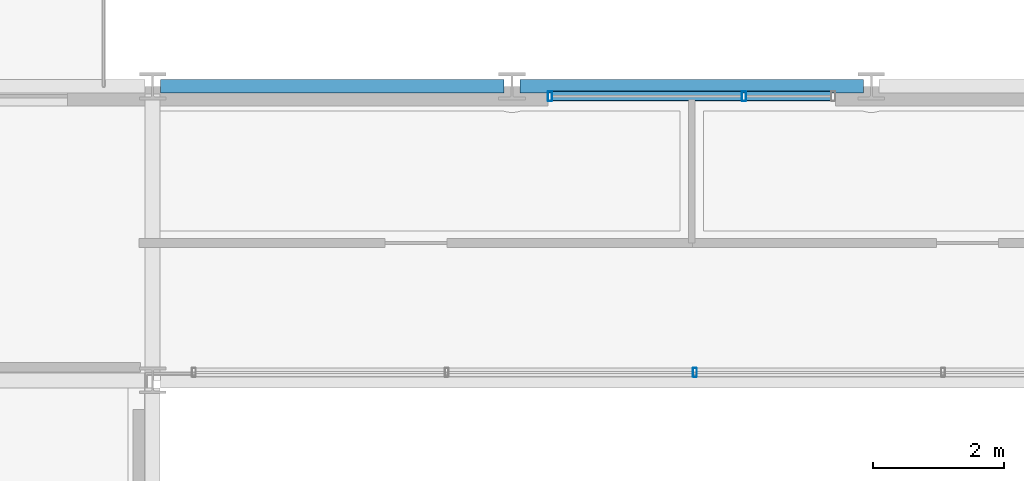
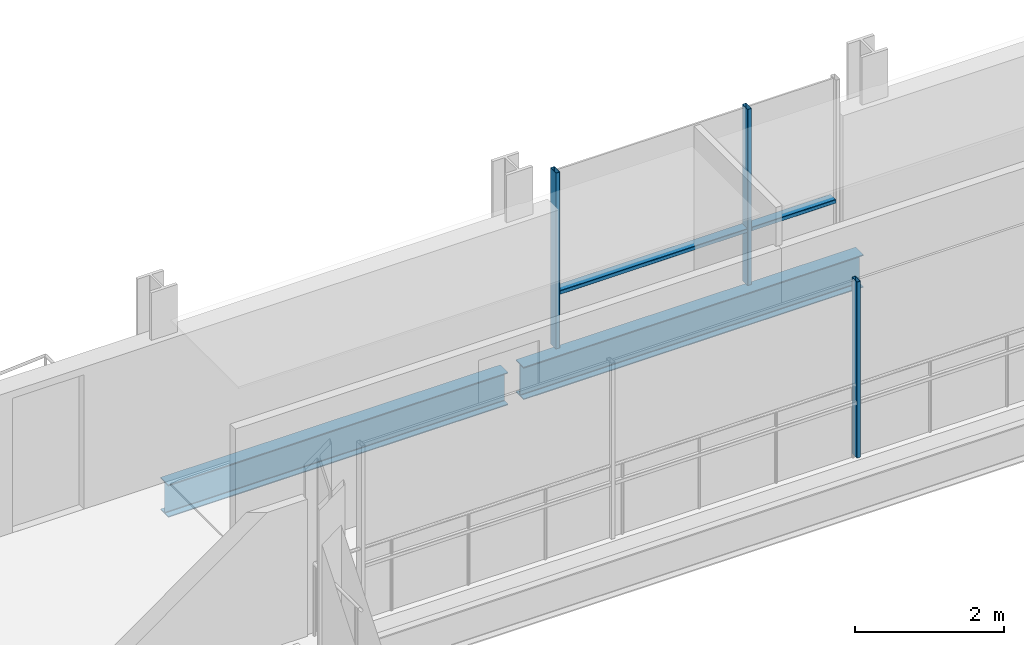
# One storey, part 13 of 38: 5 members, 2 beams, 2 elements without a shape of their own.
"""IFC4 building model written with IfcOpenShell, lengths in metres."""

import ifcopenshell
import ifcopenshell.guid

model = None  # the IFC model being written
_history = None  # IfcOwnerHistory: only IFC2X3 demands one
_inside = {}  # id of a spatial element -> (the spatial element, [elements in it])
_under = {}  # id of a project, library or spatial element -> (it, [spatial elements below it])
_declared = {}  # id of a project -> (the project, [libraries it declares])
_typed = {}  # id of a type object -> (the type object, [elements of that type])
_made_of = {}  # id of a material, layer set ... -> (it, [elements and type objects made of it])


def new_model(schema):
    """Start an empty IFC model of exactly this schema.

    Asked for "IFC4X3", IfcOpenShell would pick the latest addendum, in which some entities
    have other attributes; the version numbers below select the first issue.
    IFC2X3 requires an IfcOwnerHistory on every rooted entity: one is made here for all.
    """
    global model, _history
    if schema == "IFC4X3":
        model = ifcopenshell.file(schema_version=(4, 3, 0, 0))
    else:
        model = ifcopenshell.file(schema=schema)
    _inside.clear()
    _under.clear()
    _declared.clear()
    _typed.clear()
    _made_of.clear()
    _history = None
    if model.schema == "IFC2X3":
        org = make("IfcOrganization", Name="unknown")
        user = make(
            "IfcPersonAndOrganization",
            ThePerson=make("IfcPerson", FamilyName="unknown"),
            TheOrganization=org,
        )
        app = make(
            "IfcApplication",
            ApplicationDeveloper=org,
            Version="unknown",
            ApplicationFullName="unknown",
            ApplicationIdentifier="unknown",
        )
        _history = make(
            "IfcOwnerHistory",
            OwningUser=user,
            OwningApplication=app,
            ChangeAction="ADDED",
            CreationDate=0,
        )
    return model


def make(cls, **values):
    """One entity of the class cls with the attributes given. An attribute that is None is left unset."""
    return model.create_entity(
        cls, **{name: value for name, value in values.items() if value is not None}
    )


def rooted(cls, **values):
    """An entity with a GlobalId (a new one), such as an element, a storey or a relation."""
    return make(cls, GlobalId=ifcopenshell.guid.new(), OwnerHistory=_history, **values)


def si_unit(unit_type, name, prefix=None):
    """IfcSIUnit, for example si_unit("LENGTHUNIT", "METRE", prefix="MILLI")."""
    return make("IfcSIUnit", UnitType=unit_type, Prefix=prefix, Name=name)


def assignment(units):
    """IfcUnitAssignment: the units of a project."""
    return None if units is None else make("IfcUnitAssignment", Units=units)


def point(xyz):
    """IfcCartesianPoint."""
    return None if xyz is None else make("IfcCartesianPoint", Coordinates=xyz)


def direction(xyz):
    """IfcDirection."""
    return None if xyz is None else make("IfcDirection", DirectionRatios=xyz)


def frame(location, z_axis=None, x_axis=None):
    """IfcAxis2Placement3D, a coordinate frame: its origin and axes. An axis left out is left unset."""
    return make(
        "IfcAxis2Placement3D",
        Location=point(location),
        Axis=direction(z_axis),
        RefDirection=direction(x_axis),
    )


def frame_2d(location, x_axis=None):
    """IfcAxis2Placement2D, a coordinate frame in the plane: its origin and x axis."""
    return make(
        "IfcAxis2Placement2D", Location=point(location), RefDirection=direction(x_axis)
    )


def origin():
    """The frame at (0, 0, 0) with its axes left unset."""
    return frame((0.0, 0.0, 0.0))


def origin_2d():
    """The frame at (0, 0) in the plane with its x axis left unset."""
    return frame_2d((0.0, 0.0))


def place(relative_to, where):
    """IfcLocalPlacement: puts the frame where relative to a parent placement (None: the world)."""
    return make(
        "IfcLocalPlacement", PlacementRelTo=relative_to, RelativePlacement=where
    )


def context(
    kind, dimensions, precision=None, world=None, true_north=None, identifier=None
):
    """IfcGeometricRepresentationContext, for example the 3D "Model" context."""
    return make(
        "IfcGeometricRepresentationContext",
        ContextIdentifier=identifier,
        ContextType=kind,
        CoordinateSpaceDimension=dimensions,
        Precision=precision,
        WorldCoordinateSystem=world,
        TrueNorth=true_north,
    )


def subcontext(parent, identifier, kind, view, scale=None):
    """IfcGeometricRepresentationSubContext, for example "Body" below "Model"."""
    return make(
        "IfcGeometricRepresentationSubContext",
        ContextIdentifier=identifier,
        ContextType=kind,
        ParentContext=parent,
        TargetScale=scale,
        TargetView=view,
    )


def project(units=None, contexts=None):
    """IfcProject with its units and contexts."""
    return rooted(
        "IfcProject",
        Name="project",
        RepresentationContexts=contexts,
        UnitsInContext=assignment(units),
    )


def spatial(cls, under=None, at=None, **own):
    """A site, building, storey or space (cls), placed at a placement, below another one or the project."""
    s = rooted(cls, ObjectPlacement=at, **own)
    if under is not None:
        _under.setdefault(under.id(), (under, []))[1].append(s)
    return s


def profile(cls, at=None, kind="AREA", **sizes):
    """A parametric profile (cls). Its sizes go by their IFC names, for example OverallWidth=200.0."""
    return make(cls, ProfileType=kind, Position=at, **sizes)


def hollow_rectangle(**sizes):
    """IfcRectangleHollowProfileDef."""
    return profile("IfcRectangleHollowProfileDef", **sizes)


def i_section(**sizes):
    """IfcIShapeProfileDef."""
    return profile("IfcIShapeProfileDef", **sizes)


def extrude(swept, where, along, depth):
    """IfcExtrudedAreaSolid: the profile swept, set in the frame where, extruded along a direction by depth."""
    return make(
        "IfcExtrudedAreaSolid",
        SweptArea=swept,
        Position=where,
        ExtrudedDirection=direction(along),
        Depth=depth,
    )


def shape(context_of_items, identifier, shape_type, items):
    """IfcShapeRepresentation: the items that make up one representation, for example the "Body"."""
    return make(
        "IfcShapeRepresentation",
        ContextOfItems=context_of_items,
        RepresentationIdentifier=identifier,
        RepresentationType=shape_type,
        Items=items,
    )


def material(Name=None, Category=None):
    """IfcMaterial."""
    return make("IfcMaterial", Name=Name, Category=Category)


def layer(
    of_material, thickness, ventilated=None, Name=None, Category=None, Priority=None
):
    """IfcMaterialLayer: one layer of a wall or slab, of a material (None: an air gap)."""
    return make(
        "IfcMaterialLayer",
        Material=of_material,
        LayerThickness=thickness,
        IsVentilated=ventilated,
        Name=Name,
        Category=Category,
        Priority=Priority,
    )


def layer_set(layers, Name=None):
    """IfcMaterialLayerSet."""
    return make("IfcMaterialLayerSet", MaterialLayers=layers, LayerSetName=Name)


def material_profile(
    of_material, cross_section, Name=None, Category=None, Priority=None
):
    """IfcMaterialProfile: a cross section and its material."""
    return make(
        "IfcMaterialProfile",
        Name=Name,
        Material=of_material,
        Profile=cross_section,
        Priority=Priority,
        Category=Category,
    )


def profile_set(profiles, Name=None, composite=None):
    """IfcMaterialProfileSet."""
    return make(
        "IfcMaterialProfileSet",
        Name=Name,
        MaterialProfiles=profiles,
        CompositeProfile=composite,
    )


def made_of(thing, what):
    """Note that an element or type object is made of a material, layer set ...; save() writes the relation."""
    if what is not None:
        _made_of.setdefault(what.id(), (what, []))[1].append(thing)
    return thing


def type_object(cls, material=None, **own):
    """A type object (cls), such as IfcWallType, which elements share."""
    return made_of(rooted(cls, **own), material)


def element(
    cls,
    number,
    at=None,
    inside=None,
    cuts=None,
    type_object=None,
    material=None,
    context=None,
    identifier="Body",
    shape_type=None,
    held_by="IfcProductDefinitionShape",
    body=None,
    shapes=None,
    **own,
):
    """One element of the class cls, such as IfcWall. Its Tag is "e" and its number.

    at: its placement. inside: the storey or other place that contains it. cuts: it is an
    opening in that element (IfcRelVoidsElement). A single representation is given by context,
    identifier, shape_type and body (its items); several are given by shapes. held_by: the class
    of the entity that holds the representations. save() writes the other relations.
    """
    e = rooted(cls, Tag="e%d" % number, ObjectPlacement=at, **own)
    if body is not None:
        shapes = [shape(context, identifier, shape_type, body)]
    if shapes is not None:
        e.Representation = make(held_by, Representations=shapes)
    if inside is not None:
        _inside.setdefault(inside.id(), (inside, []))[1].append(e)
    if cuts is not None:
        rooted(
            "IfcRelVoidsElement", RelatingBuildingElement=cuts, RelatedOpeningElement=e
        )
    if type_object is not None:
        _typed.setdefault(type_object.id(), (type_object, []))[1].append(e)
    return made_of(e, material)


def aggregate(whole, parts):
    """IfcRelAggregates: a whole, such as a stair, and the parts it consists of."""
    return rooted("IfcRelAggregates", RelatingObject=whole, RelatedObjects=parts)


def save(model, path):
    """Write the relations noted so far, then the file.

    IfcRelAggregates (storeys below a building ...), IfcRelContainedInSpatialStructure (elements
    in a storey), IfcRelDefinesByType, IfcRelAssociatesMaterial and IfcRelDeclares: one each for
    every whole, place, type object, material and project.
    """
    for whole, parts in _under.values():
        aggregate(whole, parts)
    for where, things in _inside.values():
        rooted(
            "IfcRelContainedInSpatialStructure",
            RelatedElements=things,
            RelatingStructure=where,
        )
    for kind, things in _typed.values():
        rooted("IfcRelDefinesByType", RelatedObjects=things, RelatingType=kind)
    for what, things in _made_of.values():
        rooted("IfcRelAssociatesMaterial", RelatedObjects=things, RelatingMaterial=what)
    for by, libraries in _declared.values():
        rooted("IfcRelDeclares", RelatingContext=by, RelatedDefinitions=libraries)
    model.write(path)


model = new_model("IFC4")

# Units and contexts
model_context = context("Model", 3, precision=1e-05, world=origin(), true_north=direction((0.0, 1.0)))
body_context = subcontext(model_context, "Body", "Model", "MODEL_VIEW")
ifc_project = project(units=[si_unit("LENGTHUNIT", "METRE"), si_unit("AREAUNIT", "SQUARE_METRE"), si_unit("VOLUMEUNIT", "CUBIC_METRE"), si_unit("PLANEANGLEUNIT", "RADIAN"), si_unit("MASSUNIT", "GRAM", prefix="KILO")], contexts=[model_context])

# Site, building, storey
site_placement = place(None, origin())
site = spatial("IfcSite", under=ifc_project, at=site_placement, CompositionType="ELEMENT")
building_placement = place(site_placement, origin())
building = spatial("IfcBuilding", under=site, at=building_placement, Name="Brevholm Reach", CompositionType="ELEMENT")
storey_placement = place(building_placement, frame((0.0, 0.0, 166.60009765625)))
storey = spatial("IfcBuildingStorey", under=building, at=storey_placement, Name="L50", CompositionType="ELEMENT", Elevation=166.60009765625)

# Beams
ifc_material_1 = material(Name="Structural Steel S355J2", Category="steel")
ifc_material_profile_1 = material_profile(ifc_material_1, i_section(OverallWidth=0.209228515625, OverallDepth=0.533203125, WebThickness=0.010009765625, FlangeThickness=0.015625, FilletRadius=0.0126953125, at=origin_2d()), Name="UKB 533x210x92")
ifc_profile_set_1 = profile_set([ifc_material_profile_1], Name="Structural Steel S355J2")
beam_type = type_object("IfcBeamType", Name="BM-SP533", PredefinedType="SPANDREL", material=ifc_profile_set_1)
for number, where, z_axis, x_axis, name in (
    (1, (21.8701171875, 31.0, -0.486572265625), (1.0, 0.0, 0.0), (0.0, 1.0, 0.0), "L50 SP-02 Framing Beam"),
    (2, (27.3701171875, 31.0, -0.486572265625), (1.0, 0.0, 0.0), (0.0, 1.0, 0.0), "L50 SP-02 Framing Beam"),
):
    element("IfcBeam", number, at=place(storey_placement, frame(where, z_axis=z_axis, x_axis=x_axis)), inside=storey, type_object=beam_type, Name=name, PredefinedType="SPANDREL", context=body_context, shape_type="SweptSolid", body=[
        extrude(i_section(OverallWidth=0.209228515625, OverallDepth=0.533203125, WebThickness=0.010009765625, FlangeThickness=0.015625, FilletRadius=0.0126953125, at=origin_2d()), origin(), (0.0, 0.0, 1.0), 5.259765625),
    ])

# Curtain wall, member
ifc_material_2 = material(Name="Dark Anodised Aluminium 6063-T6 and Solar-Control Glass", Category="aluminium")
ifc_layer_1 = layer(ifc_material_2, 0.139892578125)
ifc_layer_set_1 = layer_set([ifc_layer_1], Name="Dark Anodised Aluminium 6063-T6 and Solar-Control Glass")
curtain_wall_type_1 = type_object("IfcCurtainWallType", Name="CW-02", PredefinedType="NOTDEFINED", material=ifc_layer_set_1)
curtain_wall_1_placement = place(storey_placement, origin())
curtain_wall_1 = element("IfcCurtainWall", 3, at=curtain_wall_1_placement, inside=storey, type_object=curtain_wall_type_1, Name="L50 Curtain Wall CW-02", PredefinedType="NOTDEFINED")
ifc_material_3 = material(Name="Dark Anodised Aluminium 6063-T6", Category="aluminium")
ifc_material_profile_2 = material_profile(ifc_material_3, hollow_rectangle(XDim=0.06005859375, YDim=0.139892578125, WallThickness=0.0048828125, InnerFilletRadius=0.0048828125, OuterFilletRadius=0.010009765625, at=origin_2d()), Name="RHS 140x60x5")
ifc_profile_set_2 = profile_set([ifc_material_profile_2], Name="Dark Anodised Aluminium 6063-T6")
member_type_1 = type_object("IfcMemberType", Name="CWM-140", PredefinedType="MULLION", material=ifc_profile_set_2)
member_1_placement = place(storey_placement, frame((30.050048828125, 26.6201171875, 0.0), z_axis=(0.0, 0.0, 1.0), x_axis=(-1.0, 0.0, 0.0)))
member_1 = element("IfcMember", 4, at=member_1_placement, type_object=member_type_1, Name="CM-140 Mullion 3", PredefinedType="MULLION", context=body_context, shape_type="SweptSolid", body=[
    extrude(hollow_rectangle(XDim=0.06005859375, YDim=0.139892578125, WallThickness=0.0048828125, InnerFilletRadius=0.0048828125, OuterFilletRadius=0.010009765625, at=origin_2d()), origin(), (0.0, 0.0, 1.0), 2.8798828125),
])
aggregate(curtain_wall_1, [member_1])

# Curtain wall, members
ifc_material_4 = material(Name="Dark Anodised Aluminium 6063-T6 and Solar-Control Glass", Category="aluminium")
ifc_layer_2 = layer(ifc_material_4, 0.14990234375)
ifc_layer_set_2 = layer_set([ifc_layer_2], Name="Dark Anodised Aluminium 6063-T6 and Solar-Control Glass")
curtain_wall_type_2 = type_object("IfcCurtainWallType", Name="CW-01", PredefinedType="NOTDEFINED", material=ifc_layer_set_2)
curtain_wall_2_placement = place(storey_placement, origin())
curtain_wall_2 = element("IfcCurtainWall", 5, at=curtain_wall_2_placement, inside=storey, type_object=curtain_wall_type_2, Name="L50 Curtain Wall CW-01", PredefinedType="NOTDEFINED")
ifc_material_5 = material(Name="Dark Anodised Aluminium 6063-T6", Category="aluminium")
ifc_material_profile_3 = material_profile(ifc_material_5, hollow_rectangle(XDim=0.06494140625, YDim=0.14990234375, WallThickness=0.0048828125, InnerFilletRadius=0.0048828125, OuterFilletRadius=0.010009765625, at=origin_2d()), Name="RHS 150x65x5")
ifc_profile_set_3 = profile_set([ifc_material_profile_3], Name="Dark Anodised Aluminium 6063-T6")
member_type_2 = type_object("IfcMemberType", Name="CWM-150", PredefinedType="MULLION", material=ifc_profile_set_3)
member_2_placement = place(storey_placement, frame((27.83251953125, 30.85009765625, 0.0), z_axis=(0.0, 0.0, 1.0), x_axis=(1.0, 0.0, 0.0)))
member_2 = element("IfcMember", 6, at=member_2_placement, type_object=member_type_2, Name="CM-150 Mullion 1", PredefinedType="MULLION", context=body_context, shape_type="SweptSolid", body=[
    extrude(hollow_rectangle(XDim=0.06494140625, YDim=0.14990234375, WallThickness=0.0048828125, InnerFilletRadius=0.0048828125, OuterFilletRadius=0.010009765625, at=origin_2d()), origin(), (0.0, 0.0, 1.0), 2.8798828125),
])
member_3_placement = place(storey_placement, frame((30.800048828125, 30.85009765625, 0.0), z_axis=(0.0, 0.0, 1.0), x_axis=(1.0, 0.0, 0.0)))
member_3 = element("IfcMember", 7, at=member_3_placement, type_object=member_type_2, Name="CM-150 Mullion 2", PredefinedType="MULLION", context=body_context, shape_type="SweptSolid", body=[
    extrude(hollow_rectangle(XDim=0.06494140625, YDim=0.14990234375, WallThickness=0.0048828125, InnerFilletRadius=0.0048828125, OuterFilletRadius=0.010009765625, at=origin_2d()), origin(), (0.0, 0.0, 1.0), 2.8798828125),
])
ifc_material_6 = material(Name="Dark Anodised Aluminium 6063-T6", Category="aluminium")
ifc_material_profile_4 = material_profile(ifc_material_6, hollow_rectangle(XDim=0.06494140625, YDim=0.14990234375, WallThickness=0.0048828125, InnerFilletRadius=0.0048828125, OuterFilletRadius=0.010009765625, at=origin_2d()), Name="RHS 150x65x5")
ifc_profile_set_4 = profile_set([ifc_material_profile_4], Name="Dark Anodised Aluminium 6063-T6")
member_type_3 = type_object("IfcMemberType", Name="CWT-150", PredefinedType="NOTDEFINED", material=ifc_profile_set_4)
member_4_placement = place(storey_placement, frame((27.864990234375, 30.85009765625, 0.89990234375), z_axis=(1.0, 0.0, 0.0), x_axis=(0.0, 0.0, 1.0)))
member_4 = element("IfcMember", 8, at=member_4_placement, type_object=member_type_3, Name="CT-150 Transom 1.1", ObjectType="TRANSOM", PredefinedType="USERDEFINED", context=body_context, shape_type="SweptSolid", body=[
    extrude(hollow_rectangle(XDim=0.06494140625, YDim=0.14990234375, WallThickness=0.0048828125, InnerFilletRadius=0.0048828125, OuterFilletRadius=0.010009765625, at=origin_2d()), origin(), (0.0, 0.0, 1.0), 2.902587890625),
])
member_5_placement = place(storey_placement, frame((30.83251953125, 30.85009765625, 0.89990234375), z_axis=(1.0, 0.0, 0.0), x_axis=(0.0, 0.0, 1.0)))
member_5 = element("IfcMember", 9, at=member_5_placement, type_object=member_type_3, Name="CT-150 Transom 2.1", ObjectType="TRANSOM", PredefinedType="USERDEFINED", context=body_context, shape_type="SweptSolid", body=[
    extrude(hollow_rectangle(XDim=0.06494140625, YDim=0.14990234375, WallThickness=0.0048828125, InnerFilletRadius=0.0048828125, OuterFilletRadius=0.010009765625, at=origin_2d()), origin(), (0.0, 0.0, 1.0), 1.302490234375),
])
aggregate(curtain_wall_2, [member_2, member_3, member_4, member_5])

save(model, "model.ifc")
